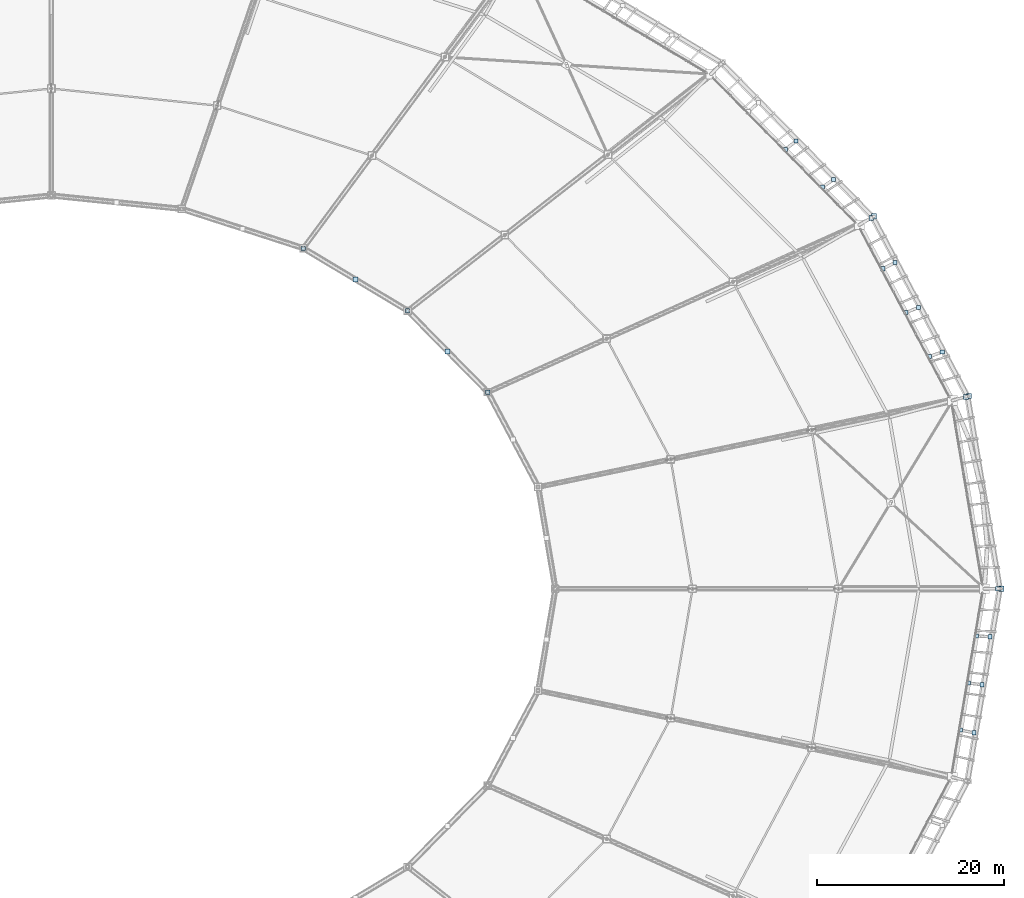
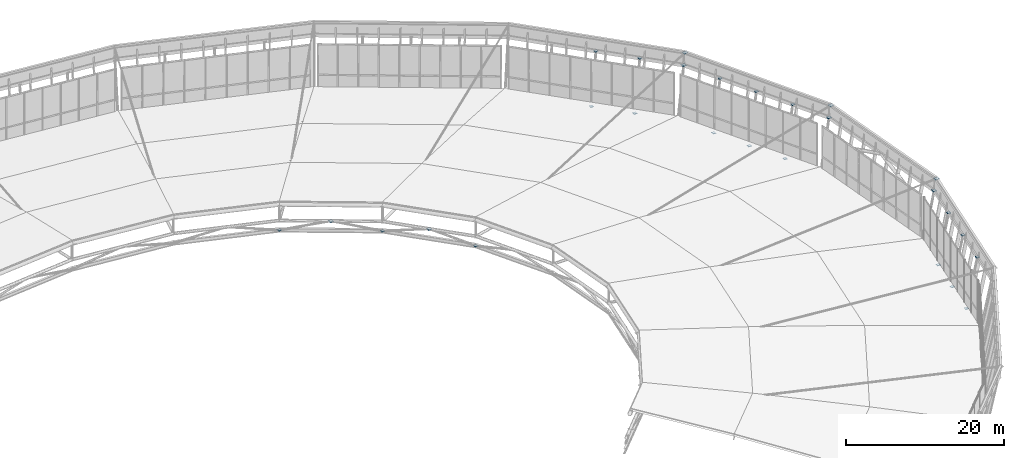
# One storey, part 107 of 115: 27 plates.
"""IFC4 building model written with IfcOpenShell, lengths in metres."""

from ifc_helpers import new_model, si_unit, direction, frame, origin, origin_2d, place, context, subcontext, project, spatial, rectangle, extrude, material, layer, layer_set, type_object, element, save


model = new_model("IFC4")

# Units and contexts
model_context = context("Model", 3, precision=1e-05, world=origin(), true_north=direction((0.0, 1.0)))
body_context = subcontext(model_context, "Body", "Model", "MODEL_VIEW")
ifc_project = project(units=[si_unit("LENGTHUNIT", "METRE"), si_unit("AREAUNIT", "SQUARE_METRE"), si_unit("VOLUMEUNIT", "CUBIC_METRE"), si_unit("PLANEANGLEUNIT", "RADIAN"), si_unit("MASSUNIT", "GRAM", prefix="KILO")], contexts=[model_context])

# Site, building, storey
site_placement = place(None, origin())
site = spatial("IfcSite", under=ifc_project, at=site_placement, CompositionType="ELEMENT")
building_placement = place(site_placement, origin())
building = spatial("IfcBuilding", under=site, at=building_placement, Name="Zlatoyarsky Gate Stadium", CompositionType="ELEMENT")
storey_placement = place(building_placement, frame((0.0, 0.0, 31.800048828125)))
storey = spatial("IfcBuildingStorey", under=building, at=storey_placement, Name="RF", CompositionType="ELEMENT", Elevation=31.800048828125)

# Plates
ifc_material = material(Name="Steel S355", Category="steel")
ifc_layer = layer(ifc_material, 0.02392578125)
ifc_layer_set = layer_set([ifc_layer], Name="Steel S355")
plate_type = type_object("IfcPlateType", Name="STEEL HOLLOW CHORD SPLICE SHEET 24", PredefinedType="SHEET", material=ifc_layer_set)
plate_1_placement = place(storey_placement, frame((212.84423828125, 80.0, 8.837890625), z_axis=(0.0, 0.0, 1.0), x_axis=(1.0, 0.0, 0.0)))
element("IfcPlate", 1, at=plate_1_placement, inside=storey, type_object=plate_type, Name="Node closure plate ND-SP1 NCAP-FSC-00", PredefinedType="SHEET", context=body_context, shape_type="SweptSolid", body=[
    extrude(rectangle(XDim=0.56005859375, YDim=0.56005859375, at=origin_2d()), origin(), (0.0, 0.0, 1.0), 0.02392578125),
])
plate_2_placement = place(storey_placement, frame((212.495361328125, 80.0, 7.137939453125), z_axis=(0.0, 0.0, 1.0), x_axis=(1.0, 0.0, 0.0)))
element("IfcPlate", 2, at=plate_2_placement, inside=storey, type_object=plate_type, Name="Node closure plate ND-SP1 NCAP-FSCB-00", PredefinedType="SHEET", context=body_context, shape_type="SweptSolid", body=[
    extrude(rectangle(XDim=0.52001953125, YDim=0.52001953125, at=origin_2d()), origin(), (0.0, 0.0, 1.0), 0.02392578125),
])
plate_3_placement = place(storey_placement, frame((209.373779296875, 100.665283203125, 8.837890625), z_axis=(0.0, 0.0, 1.0), x_axis=(1.0, 0.0, 0.0)))
element("IfcPlate", 3, at=plate_3_placement, inside=storey, type_object=plate_type, Name="Node closure plate ND-SP1 NCAP-FSC-01", PredefinedType="SHEET", context=body_context, shape_type="SweptSolid", body=[
    extrude(rectangle(XDim=0.56005859375, YDim=0.56005859375, at=origin_2d()), origin(), (0.0, 0.0, 1.0), 0.02392578125),
])
plate_4_placement = place(storey_placement, frame((209.036865234375, 100.574951171875, 7.137939453125), z_axis=(0.0, 0.0, 1.0), x_axis=(1.0, 0.0, 0.0)))
element("IfcPlate", 4, at=plate_4_placement, inside=storey, type_object=plate_type, Name="Node closure plate ND-SP1 NCAP-FSCB-01", PredefinedType="SHEET", context=body_context, shape_type="SweptSolid", body=[
    extrude(rectangle(XDim=0.52001953125, YDim=0.52001953125, at=origin_2d()), origin(), (0.0, 0.0, 1.0), 0.02392578125),
])
for number, where, z_axis, x_axis, name in (
    (5, (205.12109375, 104.899658203125, -0.4619140625), (0.0, 0.0, 1.0), (1.0, 0.0, 0.0), "Node closure plate ND-SP1 NCAP-RIB-01-1-4T"),
    (6, (206.501953125, 105.3681640625, 7.137939453125), (0.0, 0.0, 1.0), (1.0, 0.0, 0.0), "Node closure plate ND-SP1 NCAP-RIB-01-1-5T"),
    (7, (202.622802734375, 109.6044921875, -0.4619140625), (0.0, 0.0, 1.0), (1.0, 0.0, 0.0), "Node closure plate ND-SP1 NCAP-RIB-01-2-4T"),
    (8, (203.96728515625, 110.1611328125, 7.137939453125), (0.0, 0.0, 1.0), (1.0, 0.0, 0.0), "Node closure plate ND-SP1 NCAP-RIB-01-2-5T"),
    (9, (200.12451171875, 114.30908203125, -0.4619140625), (0.0, 0.0, 1.0), (1.0, 0.0, 0.0), "Node closure plate ND-SP1 NCAP-RIB-01-3-4T"),
    (10, (201.432373046875, 114.954345703125, 7.137939453125), (0.0, 0.0, 1.0), (1.0, 0.0, 0.0), "Node closure plate ND-SP1 NCAP-RIB-01-3-5T"),
):
    element("IfcPlate", number, at=place(storey_placement, frame(where, z_axis=z_axis, x_axis=x_axis)), inside=storey, type_object=plate_type, Name=name, PredefinedType="SHEET", context=body_context, shape_type="SweptSolid", body=[
        extrude(rectangle(XDim=0.43994140625, YDim=0.43994140625, at=origin_2d()), origin(), (0.0, 0.0, 1.0), 0.02392578125),
    ])
plate_5_placement = place(storey_placement, frame((199.19970703125, 119.922119140625, 8.837890625), z_axis=(0.0, 0.0, 1.0), x_axis=(1.0, 0.0, 0.0)))
element("IfcPlate", 11, at=plate_5_placement, inside=storey, type_object=plate_type, Name="Node closure plate ND-SP1 NCAP-FSC-02", PredefinedType="SHEET", context=body_context, shape_type="SweptSolid", body=[
    extrude(rectangle(XDim=0.56005859375, YDim=0.56005859375, at=origin_2d()), origin(), (0.0, 0.0, 1.0), 0.02392578125),
])
plate_6_placement = place(storey_placement, frame((198.8974609375, 119.74755859375, 7.137939453125), z_axis=(0.0, 0.0, 1.0), x_axis=(1.0, 0.0, 0.0)))
element("IfcPlate", 12, at=plate_6_placement, inside=storey, type_object=plate_type, Name="Node closure plate ND-SP1 NCAP-FSCB-02", PredefinedType="SHEET", context=body_context, shape_type="SweptSolid", body=[
    extrude(rectangle(XDim=0.52001953125, YDim=0.52001953125, at=origin_2d()), origin(), (0.0, 0.0, 1.0), 0.02392578125),
])
for number, where, z_axis, x_axis, name in (
    (13, (193.65234375, 123.0537109375, -0.4619140625), (0.0, 0.0, 1.0), (1.0, 0.0, 0.0), "Node closure plate ND-SP1 NCAP-RIB-02-1-4T"),
    (14, (194.864990234375, 123.863525390625, 7.137939453125), (0.0, 0.0, 1.0), (1.0, 0.0, 0.0), "Node closure plate ND-SP1 NCAP-RIB-02-1-5T"),
    (15, (189.67822265625, 127.09375, -0.4619140625), (0.0, 0.0, 1.0), (1.0, 0.0, 0.0), "Node closure plate ND-SP1 NCAP-RIB-02-2-4T"),
    (16, (190.832763671875, 127.979736328125, 7.137939453125), (0.0, 0.0, 1.0), (1.0, 0.0, 0.0), "Node closure plate ND-SP1 NCAP-RIB-02-2-5T"),
):
    element("IfcPlate", number, at=place(storey_placement, frame(where, z_axis=z_axis, x_axis=x_axis)), inside=storey, type_object=plate_type, Name=name, PredefinedType="SHEET", context=body_context, shape_type="SweptSolid", body=[
        extrude(rectangle(XDim=0.43994140625, YDim=0.43994140625, at=origin_2d()), origin(), (0.0, 0.0, 1.0), 0.02392578125),
    ])
plate_7_placement = place(storey_placement, frame((153.486328125, 105.4306640625, 6.43798828125), z_axis=(0.0, 0.0, 1.0), x_axis=(1.0, 0.0, 0.0)))
element("IfcPlate", 17, at=plate_7_placement, inside=storey, type_object=plate_type, Name="Node closure plate ND-SP1 NCAP-CATM-02", PredefinedType="SHEET", context=body_context, shape_type="SweptSolid", body=[
    extrude(rectangle(XDim=0.52001953125, YDim=0.52001953125, at=origin_2d()), origin(), (0.0, 0.0, 1.0), 0.02392578125),
])
plate_8_placement = place(storey_placement, frame((157.7783203125, 101.0673828125, 4.988037109375), z_axis=(0.0, 0.0, 1.0), x_axis=(1.0, 0.0, 0.0)))
element("IfcPlate", 18, at=plate_8_placement, inside=storey, type_object=plate_type, Name="Node closure plate ND-SP1 NCAP-CAT-02", PredefinedType="SHEET", context=body_context, shape_type="SweptSolid", body=[
    extrude(rectangle(XDim=0.449951171875, YDim=0.449951171875, at=origin_2d()), origin(), (0.0, 0.0, 1.0), 0.02392578125),
])
plate_9_placement = place(storey_placement, frame((143.600830078125, 113.141845703125, 6.43798828125), z_axis=(0.0, 0.0, 1.0), x_axis=(1.0, 0.0, 0.0)))
element("IfcPlate", 19, at=plate_9_placement, inside=storey, type_object=plate_type, Name="Node closure plate ND-SP1 NCAP-CATM-03", PredefinedType="SHEET", context=body_context, shape_type="SweptSolid", body=[
    extrude(rectangle(XDim=0.52001953125, YDim=0.52001953125, at=origin_2d()), origin(), (0.0, 0.0, 1.0), 0.02392578125),
])
for number, where, z_axis, x_axis, name in (
    (20, (149.1943359375, 109.7939453125, 4.988037109375), (0.0, 0.0, 1.0), (1.0, 0.0, 0.0), "Node closure plate ND-SP1 NCAP-CAT-03"),
    (21, (138.007568359375, 116.489990234375, 4.988037109375), (0.0, 0.0, 1.0), (1.0, 0.0, 0.0), "Node closure plate ND-SP1 NCAP-CAT-04"),
):
    element("IfcPlate", number, at=place(storey_placement, frame(where, z_axis=z_axis, x_axis=x_axis)), inside=storey, type_object=plate_type, Name=name, PredefinedType="SHEET", context=body_context, shape_type="SweptSolid", body=[
        extrude(rectangle(XDim=0.449951171875, YDim=0.449951171875, at=origin_2d()), origin(), (0.0, 0.0, 1.0), 0.02392578125),
    ])
for number, where, z_axis, x_axis, name in (
    (22, (208.47119140625, 64.853759765625, -0.4619140625), (0.0, 0.0, 1.0), (1.0, 0.0, 0.0), "Node closure plate ND-SP1 NCAP-RIB-23-1-4T"),
    (23, (209.901611328125, 64.56884765625, 7.137939453125), (0.0, 0.0, 1.0), (1.0, 0.0, 0.0), "Node closure plate ND-SP1 NCAP-RIB-23-1-5T"),
    (24, (209.323486328125, 69.902587890625, -0.4619140625), (0.0, 0.0, 1.0), (1.0, 0.0, 0.0), "Node closure plate ND-SP1 NCAP-RIB-23-2-4T"),
    (25, (210.76611328125, 69.71240234375, 7.137939453125), (0.0, 0.0, 1.0), (1.0, 0.0, 0.0), "Node closure plate ND-SP1 NCAP-RIB-23-2-5T"),
    (26, (210.175537109375, 74.951171875, -0.4619140625), (0.0, 0.0, 1.0), (1.0, 0.0, 0.0), "Node closure plate ND-SP1 NCAP-RIB-23-3-4T"),
    (27, (211.630615234375, 74.856201171875, 7.137939453125), (0.0, 0.0, 1.0), (1.0, 0.0, 0.0), "Node closure plate ND-SP1 NCAP-RIB-23-3-5T"),
):
    element("IfcPlate", number, at=place(storey_placement, frame(where, z_axis=z_axis, x_axis=x_axis)), inside=storey, type_object=plate_type, Name=name, PredefinedType="SHEET", context=body_context, shape_type="SweptSolid", body=[
        extrude(rectangle(XDim=0.43994140625, YDim=0.43994140625, at=origin_2d()), origin(), (0.0, 0.0, 1.0), 0.02392578125),
    ])

save(model, "model.ifc")
